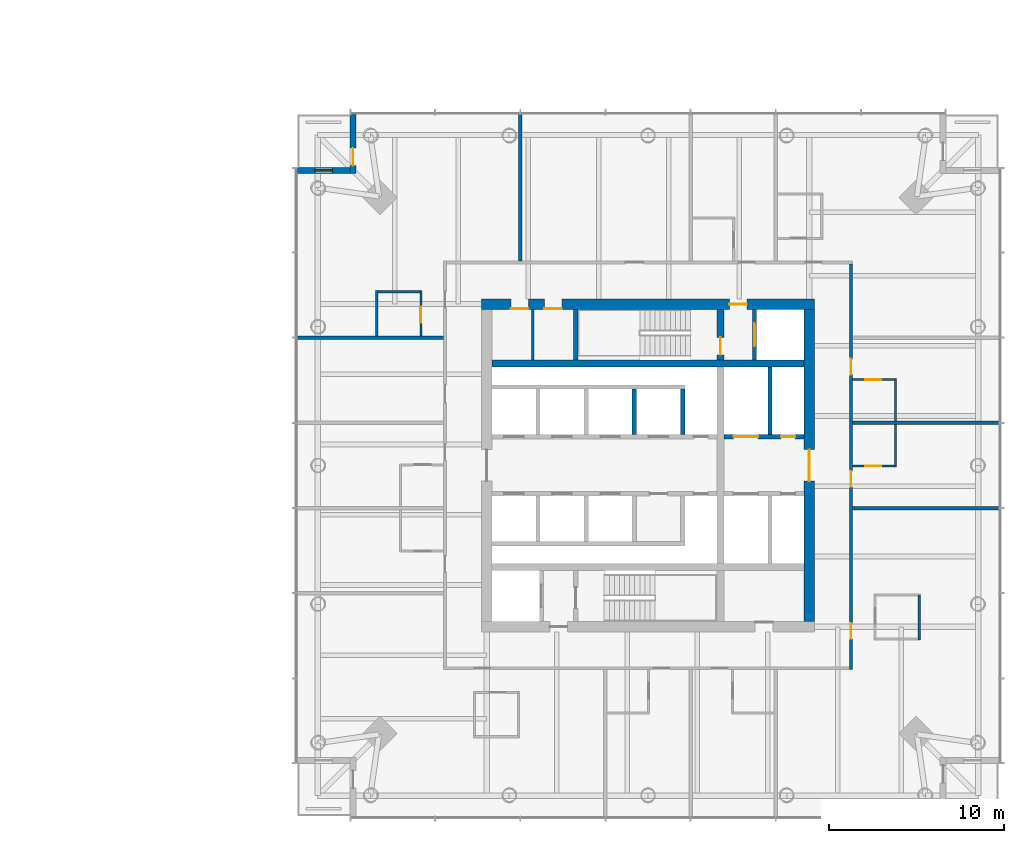
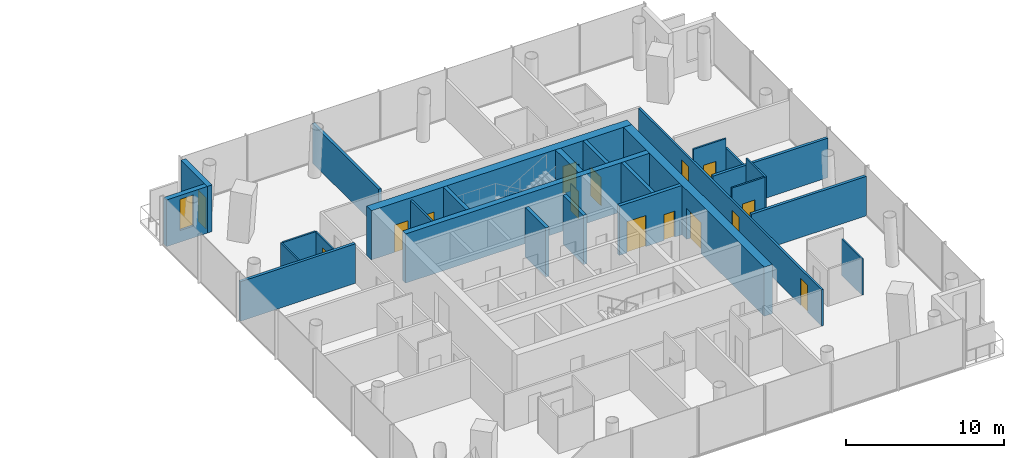
# One storey, part 15 of 19: 26 walls, 15 doors, 1 window, 16 openings.
"""IFC4 building model written with IfcOpenShell, lengths in metres."""

import ifcopenshell
import ifcopenshell.guid

model = None  # the IFC model being written
_history = None  # IfcOwnerHistory: only IFC2X3 demands one
_inside = {}  # id of a spatial element -> (the spatial element, [elements in it])
_under = {}  # id of a project, library or spatial element -> (it, [spatial elements below it])
_declared = {}  # id of a project -> (the project, [libraries it declares])
_typed = {}  # id of a type object -> (the type object, [elements of that type])
_made_of = {}  # id of a material, layer set ... -> (it, [elements and type objects made of it])


def new_model(schema):
    """Start an empty IFC model of exactly this schema.

    Asked for "IFC4X3", IfcOpenShell would pick the latest addendum, in which some entities
    have other attributes; the version numbers below select the first issue.
    IFC2X3 requires an IfcOwnerHistory on every rooted entity: one is made here for all.
    """
    global model, _history
    if schema == "IFC4X3":
        model = ifcopenshell.file(schema_version=(4, 3, 0, 0))
    else:
        model = ifcopenshell.file(schema=schema)
    _inside.clear()
    _under.clear()
    _declared.clear()
    _typed.clear()
    _made_of.clear()
    _history = None
    if model.schema == "IFC2X3":
        org = make("IfcOrganization", Name="unknown")
        user = make(
            "IfcPersonAndOrganization",
            ThePerson=make("IfcPerson", FamilyName="unknown"),
            TheOrganization=org,
        )
        app = make(
            "IfcApplication",
            ApplicationDeveloper=org,
            Version="unknown",
            ApplicationFullName="unknown",
            ApplicationIdentifier="unknown",
        )
        _history = make(
            "IfcOwnerHistory",
            OwningUser=user,
            OwningApplication=app,
            ChangeAction="ADDED",
            CreationDate=0,
        )
    return model


def make(cls, **values):
    """One entity of the class cls with the attributes given. An attribute that is None is left unset."""
    return model.create_entity(
        cls, **{name: value for name, value in values.items() if value is not None}
    )


def rooted(cls, **values):
    """An entity with a GlobalId (a new one), such as an element, a storey or a relation."""
    return make(cls, GlobalId=ifcopenshell.guid.new(), OwnerHistory=_history, **values)


def si_unit(unit_type, name, prefix=None):
    """IfcSIUnit, for example si_unit("LENGTHUNIT", "METRE", prefix="MILLI")."""
    return make("IfcSIUnit", UnitType=unit_type, Prefix=prefix, Name=name)


def assignment(units):
    """IfcUnitAssignment: the units of a project."""
    return None if units is None else make("IfcUnitAssignment", Units=units)


def point(xyz):
    """IfcCartesianPoint."""
    return None if xyz is None else make("IfcCartesianPoint", Coordinates=xyz)


def direction(xyz):
    """IfcDirection."""
    return None if xyz is None else make("IfcDirection", DirectionRatios=xyz)


def frame(location, z_axis=None, x_axis=None):
    """IfcAxis2Placement3D, a coordinate frame: its origin and axes. An axis left out is left unset."""
    return make(
        "IfcAxis2Placement3D",
        Location=point(location),
        Axis=direction(z_axis),
        RefDirection=direction(x_axis),
    )


def frame_2d(location, x_axis=None):
    """IfcAxis2Placement2D, a coordinate frame in the plane: its origin and x axis."""
    return make(
        "IfcAxis2Placement2D", Location=point(location), RefDirection=direction(x_axis)
    )


def origin():
    """The frame at (0, 0, 0) with its axes left unset."""
    return frame((0.0, 0.0, 0.0))


def place(relative_to, where):
    """IfcLocalPlacement: puts the frame where relative to a parent placement (None: the world)."""
    return make(
        "IfcLocalPlacement", PlacementRelTo=relative_to, RelativePlacement=where
    )


def context(
    kind, dimensions, precision=None, world=None, true_north=None, identifier=None
):
    """IfcGeometricRepresentationContext, for example the 3D "Model" context."""
    return make(
        "IfcGeometricRepresentationContext",
        ContextIdentifier=identifier,
        ContextType=kind,
        CoordinateSpaceDimension=dimensions,
        Precision=precision,
        WorldCoordinateSystem=world,
        TrueNorth=true_north,
    )


def subcontext(parent, identifier, kind, view, scale=None):
    """IfcGeometricRepresentationSubContext, for example "Body" below "Model"."""
    return make(
        "IfcGeometricRepresentationSubContext",
        ContextIdentifier=identifier,
        ContextType=kind,
        ParentContext=parent,
        TargetScale=scale,
        TargetView=view,
    )


def project(units=None, contexts=None):
    """IfcProject with its units and contexts."""
    return rooted(
        "IfcProject",
        Name="project",
        RepresentationContexts=contexts,
        UnitsInContext=assignment(units),
    )


def spatial(cls, under=None, at=None, **own):
    """A site, building, storey or space (cls), placed at a placement, below another one or the project."""
    s = rooted(cls, ObjectPlacement=at, **own)
    if under is not None:
        _under.setdefault(under.id(), (under, []))[1].append(s)
    return s


def profile(cls, at=None, kind="AREA", **sizes):
    """A parametric profile (cls). Its sizes go by their IFC names, for example OverallWidth=200.0."""
    return make(cls, ProfileType=kind, Position=at, **sizes)


def rectangle(**sizes):
    """IfcRectangleProfileDef."""
    return profile("IfcRectangleProfileDef", **sizes)


def extrude(swept, where, along, depth):
    """IfcExtrudedAreaSolid: the profile swept, set in the frame where, extruded along a direction by depth."""
    return make(
        "IfcExtrudedAreaSolid",
        SweptArea=swept,
        Position=where,
        ExtrudedDirection=direction(along),
        Depth=depth,
    )


def shape(context_of_items, identifier, shape_type, items):
    """IfcShapeRepresentation: the items that make up one representation, for example the "Body"."""
    return make(
        "IfcShapeRepresentation",
        ContextOfItems=context_of_items,
        RepresentationIdentifier=identifier,
        RepresentationType=shape_type,
        Items=items,
    )


def material(Name=None, Category=None):
    """IfcMaterial."""
    return make("IfcMaterial", Name=Name, Category=Category)


def layer(
    of_material, thickness, ventilated=None, Name=None, Category=None, Priority=None
):
    """IfcMaterialLayer: one layer of a wall or slab, of a material (None: an air gap)."""
    return make(
        "IfcMaterialLayer",
        Material=of_material,
        LayerThickness=thickness,
        IsVentilated=ventilated,
        Name=Name,
        Category=Category,
        Priority=Priority,
    )


def layer_set(layers, Name=None):
    """IfcMaterialLayerSet."""
    return make("IfcMaterialLayerSet", MaterialLayers=layers, LayerSetName=Name)


def made_of(thing, what):
    """Note that an element or type object is made of a material, layer set ...; save() writes the relation."""
    if what is not None:
        _made_of.setdefault(what.id(), (what, []))[1].append(thing)
    return thing


def type_object(cls, material=None, **own):
    """A type object (cls), such as IfcWallType, which elements share."""
    return made_of(rooted(cls, **own), material)


def element(
    cls,
    number,
    at=None,
    inside=None,
    cuts=None,
    type_object=None,
    material=None,
    context=None,
    identifier="Body",
    shape_type=None,
    held_by="IfcProductDefinitionShape",
    body=None,
    shapes=None,
    **own,
):
    """One element of the class cls, such as IfcWall. Its Tag is "e" and its number.

    at: its placement. inside: the storey or other place that contains it. cuts: it is an
    opening in that element (IfcRelVoidsElement). A single representation is given by context,
    identifier, shape_type and body (its items); several are given by shapes. held_by: the class
    of the entity that holds the representations. save() writes the other relations.
    """
    e = rooted(cls, Tag="e%d" % number, ObjectPlacement=at, **own)
    if body is not None:
        shapes = [shape(context, identifier, shape_type, body)]
    if shapes is not None:
        e.Representation = make(held_by, Representations=shapes)
    if inside is not None:
        _inside.setdefault(inside.id(), (inside, []))[1].append(e)
    if cuts is not None:
        rooted(
            "IfcRelVoidsElement", RelatingBuildingElement=cuts, RelatedOpeningElement=e
        )
    if type_object is not None:
        _typed.setdefault(type_object.id(), (type_object, []))[1].append(e)
    return made_of(e, material)


def fill(opening, filler):
    """IfcRelFillsElement: the door or window that sits in an opening."""
    return rooted(
        "IfcRelFillsElement",
        RelatingOpeningElement=opening,
        RelatedBuildingElement=filler,
    )


def aggregate(whole, parts):
    """IfcRelAggregates: a whole, such as a stair, and the parts it consists of."""
    return rooted("IfcRelAggregates", RelatingObject=whole, RelatedObjects=parts)


def save(model, path):
    """Write the relations noted so far, then the file.

    IfcRelAggregates (storeys below a building ...), IfcRelContainedInSpatialStructure (elements
    in a storey), IfcRelDefinesByType, IfcRelAssociatesMaterial and IfcRelDeclares: one each for
    every whole, place, type object, material and project.
    """
    for whole, parts in _under.values():
        aggregate(whole, parts)
    for where, things in _inside.values():
        rooted(
            "IfcRelContainedInSpatialStructure",
            RelatedElements=things,
            RelatingStructure=where,
        )
    for kind, things in _typed.values():
        rooted("IfcRelDefinesByType", RelatedObjects=things, RelatingType=kind)
    for what, things in _made_of.values():
        rooted("IfcRelAssociatesMaterial", RelatedObjects=things, RelatingMaterial=what)
    for by, libraries in _declared.values():
        rooted("IfcRelDeclares", RelatingContext=by, RelatedDefinitions=libraries)
    model.write(path)


model = new_model("IFC4")

# Units and contexts
model_context = context("Model", 3, precision=1e-05, world=origin(), true_north=direction((0.0, 1.0)))
body_context = subcontext(model_context, "Body", "Model", "MODEL_VIEW")
ifc_project = project(units=[si_unit("LENGTHUNIT", "METRE"), si_unit("AREAUNIT", "SQUARE_METRE"), si_unit("VOLUMEUNIT", "CUBIC_METRE"), si_unit("PLANEANGLEUNIT", "RADIAN"), si_unit("MASSUNIT", "GRAM", prefix="KILO")], contexts=[model_context])

# Site, building, storey
site_placement = place(None, origin())
site = spatial("IfcSite", under=ifc_project, at=site_placement, CompositionType="ELEMENT")
building_placement = place(site_placement, origin())
building = spatial("IfcBuilding", under=site, at=building_placement, Name="Ostroluk Exchange", CompositionType="ELEMENT")
storey_placement = place(building_placement, frame((0.0, 0.0, 24.800048828125)))
storey = spatial("IfcBuildingStorey", under=building, at=storey_placement, Name="L05", CompositionType="ELEMENT", Elevation=24.800048828125)

# Walls
ifc_material_1 = material(Name="Concrete blockwork", Category="masonry")
ifc_layer_1 = layer(ifc_material_1, 0.14990234375)
ifc_layer_set_1 = layer_set([ifc_layer_1], Name="Blockwork plant room wall 150")
wall_type_1 = type_object("IfcWallType", Name="Blockwork plant room wall 150", PredefinedType="SOLIDWALL", material=ifc_layer_set_1)
wall_1_placement = place(storey_placement, frame((110.425048828125, 52.0, 0.0), z_axis=(0.0, 0.0, 1.0), x_axis=(0.0, 1.0, 0.0)))
element("IfcWall", 1, at=wall_1_placement, inside=storey, type_object=wall_type_1, Name="Core room wall", PredefinedType="SOLIDWALL", context=body_context, shape_type="SweptSolid", body=[
    extrude(rectangle(XDim=2.89990234375, YDim=0.14990234375, at=frame_2d((1.449951171875, 0.0))), origin(), (0.0, 0.0, 1.0), 3.599853515625),
])
ifc_material_2 = material(Name="Concrete C50/60", Category="concrete")
ifc_layer_2 = layer(ifc_material_2, 0.39990234375)
ifc_layer_set_2 = layer_set([ifc_layer_2], Name="Core cross wall 400 C50/60")
wall_type_2 = type_object("IfcWallType", Name="Core cross wall 400 C50/60", PredefinedType="SHEAR", material=ifc_layer_set_2)
wall_2_placement = place(storey_placement, frame((108.10009765625, 51.800048828125, 0.0), z_axis=(0.0, 0.0, 1.0), x_axis=(1.0, 0.0, 0.0)))
element("IfcWall", 2, at=wall_2_placement, inside=storey, type_object=wall_type_2, Name="T2 core wall XN", PredefinedType="SHEAR", context=body_context, shape_type="SweptSolid", body=[
    extrude(rectangle(XDim=17.7998046875, YDim=0.39990234375, at=frame_2d((8.89990234375, 0.0))), origin(), (0.0, 0.0, 1.0), 3.800048828125),
])

# Wall, opening, door
wall_3_placement = place(storey_placement, frame((121.1298828125, 52.0, 0.0), z_axis=(0.0, 0.0, 1.0), x_axis=(0.0, 1.0, 0.0)))
wall_3 = element("IfcWall", 3, at=wall_3_placement, inside=storey, type_object=wall_type_2, Name="T2 core wall YE3", PredefinedType="SHEAR", context=body_context, shape_type="SweptSolid", body=[
    extrude(rectangle(XDim=2.89990234375, YDim=0.39990234375, at=frame_2d((1.449951171875, 0.0))), origin(), (0.0, 0.0, 1.0), 3.800048828125),
])
opening_1_placement = place(wall_3_placement, frame((0.300048828125, 0.0, 0.0)))
opening_1 = element("IfcOpeningElement", 4, at=opening_1_placement, cuts=wall_3, Name="Opening FD60", PredefinedType="OPENING", context=body_context, shape_type="SweptSolid", body=[
    extrude(rectangle(XDim=1.0, YDim=2.10009765625, at=frame_2d((0.5, 1.050048828125))), frame((0.0, 0.2099609375, 0.0), z_axis=(0.0, -1.0, 0.0), x_axis=(1.0, 0.0, 0.0)), (0.0, 0.0, 1.0), 0.419921875),
])
ifc_material_3 = material(Name="Steel", Category="steel")
door_type_1 = type_object("IfcDoorType", Name="Fire door EI 60 1000 x 2100", OperationType="SINGLE_SWING_LEFT", PredefinedType="DOOR", material=ifc_material_3)
door_1_placement = place(opening_1_placement, origin())
door_1 = element("IfcDoor", 5, at=door_1_placement, inside=storey, type_object=door_type_1, Name="Stair T2-S2 door", OperationType="SINGLE_SWING_LEFT", OverallHeight=2.10009765625, OverallWidth=1.0, PredefinedType="DOOR", context=body_context, shape_type="SweptSolid", body=[
    extrude(rectangle(XDim=1.0, YDim=2.10009765625, at=frame_2d((0.5, 1.050048828125))), frame((0.0, 0.02490234375, 0.0), z_axis=(0.0, -1.0, 0.0), x_axis=(1.0, 0.0, 0.0)), (0.0, 0.0, 1.0), 0.050048828125),
])
fill(opening_1, door_1)

# Wall
ifc_material_4 = material(Name="Concrete C40/50", Category="concrete")
ifc_layer_3 = layer(ifc_material_4, 0.25)
ifc_layer_set_3 = layer_set([ifc_layer_3], Name="Core shaft wall 250")
wall_type_3 = type_object("IfcWallType", Name="Core shaft wall 250", PredefinedType="SHEAR", material=ifc_layer_set_3)
wall_4_placement = place(storey_placement, frame((112.875, 52.0, 0.0), z_axis=(0.0, 0.0, 1.0), x_axis=(0.0, 1.0, 0.0)))
element("IfcWall", 6, at=wall_4_placement, inside=storey, type_object=wall_type_3, Name="Stair shaft wall", PredefinedType="SHEAR", context=body_context, shape_type="SweptSolid", body=[
    extrude(rectangle(XDim=2.89990234375, YDim=0.25, at=frame_2d((1.449951171875, 0.0))), origin(), (0.0, 0.0, 1.0), 3.800048828125),
])

# Wall, opening, door
wall_5_placement = place(storey_placement, frame((123.074951171875, 52.0, 0.0), z_axis=(0.0, 0.0, 1.0), x_axis=(0.0, 1.0, 0.0)))
wall_5 = element("IfcWall", 7, at=wall_5_placement, inside=storey, type_object=wall_type_3, Name="Firefighting lift shaft wall", PredefinedType="SHEAR", context=body_context, shape_type="SweptSolid", body=[
    extrude(rectangle(XDim=2.89990234375, YDim=0.25, at=frame_2d((1.449951171875, 0.0))), origin(), (0.0, 0.0, 1.0), 3.800048828125),
])
opening_2_placement = place(wall_5_placement, frame((0.800048828125, 0.0, 0.0)))
opening_2 = element("IfcOpeningElement", 8, at=opening_2_placement, cuts=wall_5, Name="Opening LD2", PredefinedType="OPENING", context=body_context, shape_type="SweptSolid", body=[
    extrude(rectangle(XDim=1.300048828125, YDim=2.199951171875, at=frame_2d((0.64990234375, 1.10009765625))), frame((0.0, 0.135009765625, 0.0), z_axis=(0.0, -1.0, 0.0), x_axis=(1.0, 0.0, 0.0)), (0.0, 0.0, 1.0), 0.27001953125),
])
ifc_material_5 = material(Name="Stainless steel", Category="steel")
door_type_2 = type_object("IfcDoorType", Name="Lift landing door E 60 1300 x 2200", OperationType="DOUBLE_DOOR_SLIDING", PredefinedType="DOOR", material=ifc_material_5)
door_2_placement = place(opening_2_placement, origin())
door_2 = element("IfcDoor", 9, at=door_2_placement, inside=storey, type_object=door_type_2, Name="Lift HF2 landing door", OperationType="DOUBLE_DOOR_SLIDING", OverallHeight=2.199951171875, OverallWidth=1.300048828125, PredefinedType="DOOR", context=body_context, shape_type="SweptSolid", body=[
    extrude(rectangle(XDim=1.300048828125, YDim=2.199951171875, at=frame_2d((0.64990234375, 1.10009765625))), frame((0.0, 0.02490234375, 0.0), z_axis=(0.0, -1.0, 0.0), x_axis=(1.0, 0.0, 0.0)), (0.0, 0.0, 1.0), 0.050048828125),
])
fill(opening_2, door_2)

# Walls
for number, where, z_axis, x_axis, name in (
    (10, (116.22509765625, 47.75, 0.0), (0.0, 0.0, 1.0), (0.0, 1.0, 0.0), "Lift shaft wall"),
    (11, (118.97509765625, 47.75, 0.0), (0.0, 0.0, 1.0), (0.0, 1.0, 0.0), "Lift shaft wall"),
):
    element("IfcWall", number, at=place(storey_placement, frame(where, z_axis=z_axis, x_axis=x_axis)), inside=storey, type_object=wall_type_3, Name=name, PredefinedType="SHEAR", context=body_context, shape_type="SweptSolid", body=[
        extrude(rectangle(XDim=2.60009765625, YDim=0.25, at=frame_2d((1.300048828125, 0.0))), origin(), (0.0, 0.0, 1.0), 3.800048828125),
    ])
wall_6_placement = place(storey_placement, frame((123.955078125, 47.75, 0.0), z_axis=(0.0, 0.0, 1.0), x_axis=(0.0, 1.0, 0.0)))
element("IfcWall", 12, at=wall_6_placement, inside=storey, type_object=wall_type_3, Name="Lift shaft wall", PredefinedType="SHEAR", context=body_context, shape_type="SweptSolid", body=[
    extrude(rectangle(XDim=3.85009765625, YDim=0.25, at=frame_2d((1.925048828125, 0.0))), origin(), (0.0, 0.0, 1.0), 3.800048828125),
])

# Wall, openings, doors
wall_7_placement = place(storey_placement, frame((121.330078125, 47.625, 0.0), z_axis=(0.0, 0.0, 1.0), x_axis=(1.0, 0.0, 0.0)))
wall_7 = element("IfcWall", 13, at=wall_7_placement, inside=storey, type_object=wall_type_3, Name="Lift shaft front wall", PredefinedType="SHEAR", context=body_context, shape_type="SweptSolid", body=[
    extrude(rectangle(XDim=4.56982421875, YDim=0.25, at=frame_2d((2.284912109375, 0.0))), origin(), (0.0, 0.0, 1.0), 3.800048828125),
])
opening_3_placement = place(wall_7_placement, frame((0.550048828125, 0.0, 0.0)))
opening_3 = element("IfcOpeningElement", 14, at=opening_3_placement, cuts=wall_7, Name="Opening LD3", PredefinedType="OPENING", context=body_context, shape_type="SweptSolid", body=[
    extrude(rectangle(XDim=1.39990234375, YDim=2.39990234375, at=frame_2d((0.699951171875, 1.199951171875))), frame((0.0, 0.135009765625, 0.0), z_axis=(0.0, -1.0, 0.0), x_axis=(1.0, 0.0, 0.0)), (0.0, 0.0, 1.0), 0.27001953125),
])
opening_4_placement = place(wall_7_placement, frame((3.260009765625, 0.0, 0.0)))
opening_4 = element("IfcOpeningElement", 15, at=opening_4_placement, cuts=wall_7, Name="Opening RD60", PredefinedType="OPENING", context=body_context, shape_type="SweptSolid", body=[
    extrude(rectangle(XDim=0.800048828125, YDim=2.0, at=frame_2d((0.39990234375, 1.0))), frame((0.0, 0.135009765625, 0.0), z_axis=(0.0, -1.0, 0.0), x_axis=(1.0, 0.0, 0.0)), (0.0, 0.0, 1.0), 0.27001953125),
])
ifc_material_6 = material(Name="Stainless steel", Category="steel")
door_type_3 = type_object("IfcDoorType", Name="Goods lift landing door E 60 1400 x 2400", OperationType="DOUBLE_DOOR_SLIDING", PredefinedType="DOOR", material=ifc_material_6)
door_3_placement = place(opening_3_placement, origin())
door_3 = element("IfcDoor", 16, at=door_3_placement, inside=storey, type_object=door_type_3, Name="Lift HS1 landing door", OperationType="DOUBLE_DOOR_SLIDING", OverallHeight=2.39990234375, OverallWidth=1.39990234375, PredefinedType="DOOR", context=body_context, shape_type="SweptSolid", body=[
    extrude(rectangle(XDim=1.39990234375, YDim=2.39990234375, at=frame_2d((0.699951171875, 1.199951171875))), frame((0.0, 0.02490234375, 0.0), z_axis=(0.0, -1.0, 0.0), x_axis=(1.0, 0.0, 0.0)), (0.0, 0.0, 1.0), 0.050048828125),
])
fill(opening_3, door_3)
ifc_material_7 = material(Name="Steel", Category="steel")
door_type_4 = type_object("IfcDoorType", Name="Riser access door EI 60 800 x 2000", OperationType="SINGLE_SWING_LEFT", PredefinedType="DOOR", material=ifc_material_7)
door_4_placement = place(opening_4_placement, origin())
door_4 = element("IfcDoor", 17, at=door_4_placement, inside=storey, type_object=door_type_4, Name="Riser access door", OperationType="SINGLE_SWING_RIGHT", OverallHeight=2.0, OverallWidth=0.800048828125, PredefinedType="DOOR", context=body_context, shape_type="SweptSolid", body=[
    extrude(rectangle(XDim=0.800048828125, YDim=2.0, at=frame_2d((0.39990234375, 1.0))), frame((0.0, 0.02490234375, 0.0), z_axis=(0.0, -1.0, 0.0), x_axis=(1.0, 0.0, 0.0)), (0.0, 0.0, 1.0), 0.050048828125),
])
fill(opening_4, door_4)

ifc_material_8 = material(Name="Concrete C50/60", Category="concrete")
ifc_layer_4 = layer(ifc_material_8, 0.60009765625)
ifc_layer_set_4 = layer_set([ifc_layer_4], Name="Core wall 600 C50/60")
wall_type_4 = type_object("IfcWallType", Name="Core wall 600 C50/60", PredefinedType="SHEAR", material=ifc_layer_set_4)
wall_8_placement = place(storey_placement, frame((107.5, 55.199951171875, 0.0), z_axis=(0.0, 0.0, 1.0), x_axis=(1.0, 0.0, 0.0)))
wall_8 = element("IfcWall", 18, at=wall_8_placement, inside=storey, type_object=wall_type_4, Name="T2 core wall N", PredefinedType="SHEAR", context=body_context, shape_type="SweptSolid", body=[
    extrude(rectangle(XDim=19.0, YDim=0.60009765625, at=frame_2d((9.5, 0.0))), origin(), (0.0, 0.0, 1.0), 3.800048828125),
])
opening_5_placement = place(wall_8_placement, frame((14.139892578125, 0.0, 0.0)))
opening_5 = element("IfcOpeningElement", 19, at=opening_5_placement, cuts=wall_8, Name="Opening FD60", PredefinedType="OPENING", context=body_context, shape_type="SweptSolid", body=[
    extrude(rectangle(XDim=1.0, YDim=2.10009765625, at=frame_2d((0.5, 1.050048828125))), frame((0.0, 0.31005859375, 0.0), z_axis=(0.0, -1.0, 0.0), x_axis=(1.0, 0.0, 0.0)), (0.0, 0.0, 1.0), 0.6201171875),
])
opening_6_placement = place(wall_8_placement, frame((1.675048828125, 0.0, 0.0)))
opening_6 = element("IfcOpeningElement", 20, at=opening_6_placement, cuts=wall_8, Name="Opening FD60", PredefinedType="OPENING", context=body_context, shape_type="SweptSolid", body=[
    extrude(rectangle(XDim=1.0, YDim=2.10009765625, at=frame_2d((0.5, 1.050048828125))), frame((0.0, 0.31005859375, 0.0), z_axis=(0.0, -1.0, 0.0), x_axis=(1.0, 0.0, 0.0)), (0.0, 0.0, 1.0), 0.6201171875),
])
opening_7_placement = place(wall_8_placement, frame((3.58740234375, 0.0, 0.0)))
opening_7 = element("IfcOpeningElement", 21, at=opening_7_placement, cuts=wall_8, Name="Opening FD60", PredefinedType="OPENING", context=body_context, shape_type="SweptSolid", body=[
    extrude(rectangle(XDim=1.0, YDim=2.10009765625, at=frame_2d((0.5, 1.050048828125))), frame((0.0, 0.31005859375, 0.0), z_axis=(0.0, -1.0, 0.0), x_axis=(1.0, 0.0, 0.0)), (0.0, 0.0, 1.0), 0.6201171875),
])
door_5_placement = place(opening_5_placement, origin())
door_5 = element("IfcDoor", 22, at=door_5_placement, inside=storey, type_object=door_type_1, Name="Firefighting lobby door", OperationType="SINGLE_SWING_RIGHT", OverallHeight=2.10009765625, OverallWidth=1.0, PredefinedType="DOOR", context=body_context, shape_type="SweptSolid", body=[
    extrude(rectangle(XDim=1.0, YDim=2.10009765625, at=frame_2d((0.5, 1.050048828125))), frame((0.0, 0.02490234375, 0.0), z_axis=(0.0, -1.0, 0.0), x_axis=(1.0, 0.0, 0.0)), (0.0, 0.0, 1.0), 0.050048828125),
])
fill(opening_5, door_5)
door_6_placement = place(opening_6_placement, origin())
door_6 = element("IfcDoor", 23, at=door_6_placement, inside=storey, type_object=door_type_1, Name="Guest pantry door", OperationType="SINGLE_SWING_LEFT", OverallHeight=2.10009765625, OverallWidth=1.0, PredefinedType="DOOR", context=body_context, shape_type="SweptSolid", body=[
    extrude(rectangle(XDim=1.0, YDim=2.10009765625, at=frame_2d((0.5, 1.050048828125))), frame((0.0, -0.23974609375, 0.0), z_axis=(0.0, -1.0, 0.0), x_axis=(1.0, 0.0, 0.0)), (0.0, 0.0, 1.0), 0.050048828125),
])
fill(opening_6, door_6)
door_7_placement = place(opening_7_placement, origin())
door_7 = element("IfcDoor", 24, at=door_7_placement, inside=storey, type_object=door_type_1, Name="Ice and vending room door", OperationType="SINGLE_SWING_LEFT", OverallHeight=2.10009765625, OverallWidth=1.0, PredefinedType="DOOR", context=body_context, shape_type="SweptSolid", body=[
    extrude(rectangle(XDim=1.0, YDim=2.10009765625, at=frame_2d((0.5, 1.050048828125))), frame((0.0, -0.23974609375, 0.0), z_axis=(0.0, -1.0, 0.0), x_axis=(1.0, 0.0, 0.0)), (0.0, 0.0, 1.0), 0.050048828125),
])
fill(opening_7, door_7)

# Wall, opening, door
wall_9_placement = place(storey_placement, frame((126.199951171875, 37.10009765625, 0.0), z_axis=(0.0, 0.0, 1.0), x_axis=(0.0, 1.0, 0.0)))
wall_9 = element("IfcWall", 25, at=wall_9_placement, inside=storey, type_object=wall_type_4, Name="T2 core wall E", PredefinedType="SHEAR", context=body_context, shape_type="SweptSolid", body=[
    extrude(rectangle(XDim=17.7998046875, YDim=0.60009765625, at=frame_2d((8.89990234375, 0.0))), origin(), (0.0, 0.0, 1.0), 3.800048828125),
])
opening_8_placement = place(wall_9_placement, frame((8.0, 0.0, 0.0)))
opening_8 = element("IfcOpeningElement", 26, at=opening_8_placement, cuts=wall_9, Name="Opening FD30D", PredefinedType="OPENING", context=body_context, shape_type="SweptSolid", body=[
    extrude(rectangle(XDim=1.800048828125, YDim=2.39990234375, at=frame_2d((0.89990234375, 1.199951171875))), frame((0.0, 0.31005859375, 0.0), z_axis=(0.0, -1.0, 0.0), x_axis=(1.0, 0.0, 0.0)), (0.0, 0.0, 1.0), 0.6201171875),
])
ifc_material_9 = material(Name="Timber", Category="wood")
door_type_5 = type_object("IfcDoorType", Name="Lobby double door EI 30 1800 x 2400", OperationType="DOUBLE_DOOR_SINGLE_SWING", PredefinedType="DOOR", material=ifc_material_9)
door_8_placement = place(opening_8_placement, origin())
door_8 = element("IfcDoor", 27, at=door_8_placement, inside=storey, type_object=door_type_5, Name="Lift lobby doors", OperationType="DOUBLE_DOOR_SINGLE_SWING", OverallHeight=2.39990234375, OverallWidth=1.800048828125, PredefinedType="DOOR", context=body_context, shape_type="SweptSolid", body=[
    extrude(rectangle(XDim=1.800048828125, YDim=2.39990234375, at=frame_2d((0.89990234375, 1.199951171875))), frame((0.0, 0.02490234375, 0.0), z_axis=(0.0, -1.0, 0.0), x_axis=(1.0, 0.0, 0.0)), (0.0, 0.0, 1.0), 0.050048828125),
])
fill(opening_8, door_8)

ifc_material_10 = material(Name="Limestone", Category="masonry")
ifc_layer_5 = layer(ifc_material_10, 0.35009765625)
ifc_layer_set_5 = layer_set([ifc_layer_5], Name="Limestone facade wall 350")
wall_type_5 = type_object("IfcWallType", Name="Limestone facade wall 350", PredefinedType="SOLIDWALL", material=ifc_layer_set_5)
wall_10_placement = place(storey_placement, frame((100.175048828125, 66.0, 0.0), z_axis=(0.0, 0.0, 1.0), x_axis=(0.0, -1.0, 0.0)))
wall_10 = element("IfcWall", 28, at=wall_10_placement, inside=storey, type_object=wall_type_5, Name="Hotel tower NW corner wall L05 a", PredefinedType="SOLIDWALL", context=body_context, shape_type="SweptSolid", body=[
    extrude(rectangle(XDim=3.35009765625, YDim=0.35009765625, at=frame_2d((1.675048828125, 0.0))), origin(), (0.0, 0.0, 1.0), 3.599853515625),
])
opening_9_placement = place(wall_10_placement, frame((1.89990234375, 0.0, 0.0)))
opening_9 = element("IfcOpeningElement", 29, at=opening_9_placement, cuts=wall_10, Name="Opening D-B1", PredefinedType="OPENING", context=body_context, shape_type="SweptSolid", body=[
    extrude(rectangle(XDim=1.0, YDim=2.39990234375, at=frame_2d((0.5, 1.199951171875))), frame((0.0, 0.18505859375, 0.0), z_axis=(0.0, -1.0, 0.0), x_axis=(1.0, 0.0, 0.0)), (0.0, 0.0, 1.0), 0.3701171875),
])
ifc_material_11 = material(Name="Bronze framed glazed door", Category="aluminium")
door_type_6 = type_object("IfcDoorType", Name="Balcony door 1000 x 2400", OperationType="SINGLE_SWING_LEFT", PredefinedType="DOOR", material=ifc_material_11)
door_9_placement = place(opening_9_placement, origin())
door_9 = element("IfcDoor", 30, at=door_9_placement, inside=storey, type_object=door_type_6, Name="Hotel tower NW balcony door L05", OperationType="SINGLE_SWING_RIGHT", OverallHeight=2.39990234375, OverallWidth=1.0, PredefinedType="DOOR", context=body_context, shape_type="SweptSolid", body=[
    extrude(rectangle(XDim=1.0, YDim=2.39990234375, at=frame_2d((0.5, 1.199951171875))), frame((0.0, 0.02490234375, 0.0), z_axis=(0.0, -1.0, 0.0), x_axis=(1.0, 0.0, 0.0)), (0.0, 0.0, 1.0), 0.050048828125),
])
fill(opening_9, door_9)

# Wall, opening, window
wall_11_placement = place(storey_placement, frame((100.0, 62.824951171875, 0.0), z_axis=(0.0, 0.0, 1.0), x_axis=(-1.0, 0.0, 0.0)))
wall_11 = element("IfcWall", 31, at=wall_11_placement, inside=storey, type_object=wall_type_5, Name="Hotel tower NW corner wall L05 b", PredefinedType="SOLIDWALL", context=body_context, shape_type="SweptSolid", body=[
    extrude(rectangle(XDim=3.0, YDim=0.35009765625, at=frame_2d((1.5, 0.0))), origin(), (0.0, 0.0, 1.0), 3.599853515625),
])
opening_10_placement = place(wall_11_placement, frame((1.0, 0.0, 0.89990234375)))
opening_10 = element("IfcOpeningElement", 32, at=opening_10_placement, cuts=wall_11, Name="Opening WN-L3", PredefinedType="OPENING", context=body_context, shape_type="SweptSolid", body=[
    extrude(rectangle(XDim=1.0, YDim=2.39990234375, at=frame_2d((0.5, 1.199951171875))), frame((0.0, 0.18505859375, 0.0), z_axis=(0.0, -1.0, 0.0), x_axis=(1.0, 0.0, 0.0)), (0.0, 0.0, 1.0), 0.3701171875),
])
ifc_material_12 = material(Name="Laminated clear glass", Category="glass")
window_type = type_object("IfcWindowType", Name="Hotel lancet window 1000 x 2400", PartitioningType="SINGLE_PANEL", PredefinedType="WINDOW", material=ifc_material_12)
window_placement = place(opening_10_placement, origin())
window = element("IfcWindow", 33, at=window_placement, inside=storey, type_object=window_type, Name="Hotel tower NW lancet window L05", OverallHeight=2.39990234375, OverallWidth=1.0, PartitioningType="SINGLE_PANEL", PredefinedType="WINDOW", context=body_context, shape_type="SweptSolid", body=[
    extrude(rectangle(XDim=1.0, YDim=2.39990234375, at=frame_2d((0.5, 1.199951171875))), frame((0.0, 0.030029296875, 0.0), z_axis=(0.0, -1.0, 0.0), x_axis=(1.0, 0.0, 0.0)), (0.0, 0.0, 1.0), 0.06005859375),
])
fill(opening_10, window)

# Walls
ifc_material_13 = material(Name="Gypsum plasterboard partition, moisture resistant", Category="gypsum")
ifc_layer_6 = layer(ifc_material_13, 0.1201171875)
ifc_layer_set_6 = layer_set([ifc_layer_6], Name="Plasterboard en-suite wall 120")
wall_type_6 = type_object("IfcWallType", Name="Plasterboard en-suite wall 120", PredefinedType="PARTITIONING", material=ifc_layer_set_6)
wall_12_placement = place(storey_placement, frame((132.469970703125, 38.6142578125, 0.0), z_axis=(0.0, 0.0, 1.0), x_axis=(0.0, -1.0, 0.0)))
element("IfcWall", 34, at=wall_12_placement, inside=storey, type_object=wall_type_6, Name="En-suite wall", PredefinedType="PARTITIONING", context=body_context, shape_type="SweptSolid", body=[
    extrude(rectangle(XDim=2.580078125, YDim=0.1201171875, at=frame_2d((1.2900390625, 0.0))), origin(), (0.0, 0.0, 1.0), 2.800048828125),
])
wall_13_placement = place(storey_placement, frame((131.110107421875, 45.90869140625, 0.0), z_axis=(0.0, 0.0, 1.0), x_axis=(0.0, 1.0, 0.0)))
element("IfcWall", 35, at=wall_13_placement, inside=storey, type_object=wall_type_6, Name="En-suite wall", PredefinedType="PARTITIONING", context=body_context, shape_type="SweptSolid", body=[
    extrude(rectangle(XDim=2.419921875, YDim=0.1201171875, at=frame_2d((1.2099609375, 0.0))), origin(), (0.0, 0.0, 1.0), 3.599853515625),
])

# Wall, opening, door
wall_14_placement = place(storey_placement, frame((128.64990234375, 45.968505859375, 0.0), z_axis=(0.0, 0.0, 1.0), x_axis=(1.0, 0.0, 0.0)))
wall_14 = element("IfcWall", 36, at=wall_14_placement, inside=storey, type_object=wall_type_6, Name="En-suite wall", PredefinedType="PARTITIONING", context=body_context, shape_type="SweptSolid", body=[
    extrude(rectangle(XDim=2.400146484375, YDim=0.1201171875, at=frame_2d((1.2001953125, 0.0))), origin(), (0.0, 0.0, 1.0), 3.599853515625),
])
opening_11_placement = place(wall_14_placement, frame((0.75, 0.0, 0.0)))
opening_11 = element("IfcOpeningElement", 37, at=opening_11_placement, cuts=wall_14, Name="Opening D-02", PredefinedType="OPENING", context=body_context, shape_type="SweptSolid", body=[
    extrude(rectangle(XDim=0.89990234375, YDim=2.10009765625, at=frame_2d((0.449951171875, 1.050048828125))), frame((0.0, 0.070068359375, 0.0), z_axis=(0.0, -1.0, 0.0), x_axis=(1.0, 0.0, 0.0)), (0.0, 0.0, 1.0), 0.14013671875),
])
ifc_material_14 = material(Name="Timber", Category="wood")
door_type_7 = type_object("IfcDoorType", Name="En-suite door 900 x 2100", OperationType="SINGLE_SWING_LEFT", PredefinedType="DOOR", material=ifc_material_14)
door_10_placement = place(opening_11_placement, origin())
door_10 = element("IfcDoor", 38, at=door_10_placement, inside=storey, type_object=door_type_7, Name="En-suite door 502", OperationType="SINGLE_SWING_LEFT", OverallHeight=2.10009765625, OverallWidth=0.89990234375, PredefinedType="DOOR", context=body_context, shape_type="SweptSolid", body=[
    extrude(rectangle(XDim=0.89990234375, YDim=2.10009765625, at=frame_2d((0.449951171875, 1.050048828125))), frame((0.0, 0.02490234375, 0.0), z_axis=(0.0, -1.0, 0.0), x_axis=(1.0, 0.0, 0.0)), (0.0, 0.0, 1.0), 0.050048828125),
])
fill(opening_11, door_10)

# Wall
wall_15_placement = place(storey_placement, frame((131.110107421875, 48.528564453125, 0.0), z_axis=(0.0, 0.0, 1.0), x_axis=(0.0, 1.0, 0.0)))
element("IfcWall", 39, at=wall_15_placement, inside=storey, type_object=wall_type_6, Name="En-suite wall", PredefinedType="PARTITIONING", context=body_context, shape_type="SweptSolid", body=[
    extrude(rectangle(XDim=2.419921875, YDim=0.1201171875, at=frame_2d((1.2099609375, 0.0))), origin(), (0.0, 0.0, 1.0), 2.846923828125),
])

# Wall, opening, door
wall_16_placement = place(storey_placement, frame((128.64990234375, 50.888671875, 0.0), z_axis=(0.0, 0.0, 1.0), x_axis=(1.0, 0.0, 0.0)))
wall_16 = element("IfcWall", 40, at=wall_16_placement, inside=storey, type_object=wall_type_6, Name="En-suite wall", PredefinedType="PARTITIONING", context=body_context, shape_type="SweptSolid", body=[
    extrude(rectangle(XDim=2.400146484375, YDim=0.1201171875, at=frame_2d((1.2001953125, 0.0))), origin(), (0.0, 0.0, 1.0), 3.599853515625),
])
opening_12_placement = place(wall_16_placement, frame((0.75, 0.0, 0.0)))
opening_12 = element("IfcOpeningElement", 41, at=opening_12_placement, cuts=wall_16, Name="Opening D-02", PredefinedType="OPENING", context=body_context, shape_type="SweptSolid", body=[
    extrude(rectangle(XDim=0.89990234375, YDim=2.10009765625, at=frame_2d((0.449951171875, 1.050048828125))), frame((0.0, 0.070068359375, 0.0), z_axis=(0.0, -1.0, 0.0), x_axis=(1.0, 0.0, 0.0)), (0.0, 0.0, 1.0), 0.14013671875),
])
door_11_placement = place(opening_12_placement, origin())
door_11 = element("IfcDoor", 42, at=door_11_placement, inside=storey, type_object=door_type_7, Name="En-suite door 503", OperationType="SINGLE_SWING_LEFT", OverallHeight=2.10009765625, OverallWidth=0.89990234375, PredefinedType="DOOR", context=body_context, shape_type="SweptSolid", body=[
    extrude(rectangle(XDim=0.89990234375, YDim=2.10009765625, at=frame_2d((0.449951171875, 1.050048828125))), frame((0.0, 0.02490234375, 0.0), z_axis=(0.0, -1.0, 0.0), x_axis=(1.0, 0.0, 0.0)), (0.0, 0.0, 1.0), 0.050048828125),
])
fill(opening_12, door_11)

wall_17_placement = place(storey_placement, frame((104.050048828125, 53.3857421875, 0.0), z_axis=(0.0, 0.0, 1.0), x_axis=(0.0, 1.0, 0.0)))
wall_17 = element("IfcWall", 43, at=wall_17_placement, inside=storey, type_object=wall_type_6, Name="En-suite wall", PredefinedType="PARTITIONING", context=body_context, shape_type="SweptSolid", body=[
    extrude(rectangle(XDim=2.580078125, YDim=0.1201171875, at=frame_2d((1.2900390625, 0.0))), origin(), (0.0, 0.0, 1.0), 2.800048828125),
])
opening_13_placement = place(wall_17_placement, frame((0.75, 0.0, 0.0)))
opening_13 = element("IfcOpeningElement", 44, at=opening_13_placement, cuts=wall_17, Name="Opening D-02", PredefinedType="OPENING", context=body_context, shape_type="SweptSolid", body=[
    extrude(rectangle(XDim=0.89990234375, YDim=2.10009765625, at=frame_2d((0.449951171875, 1.050048828125))), frame((0.0, 0.070068359375, 0.0), z_axis=(0.0, -1.0, 0.0), x_axis=(1.0, 0.0, 0.0)), (0.0, 0.0, 1.0), 0.14013671875),
])
door_12_placement = place(opening_13_placement, origin())
door_12 = element("IfcDoor", 45, at=door_12_placement, inside=storey, type_object=door_type_7, Name="En-suite door 506", OperationType="SINGLE_SWING_LEFT", OverallHeight=2.10009765625, OverallWidth=0.89990234375, PredefinedType="DOOR", context=body_context, shape_type="SweptSolid", body=[
    extrude(rectangle(XDim=0.89990234375, YDim=2.10009765625, at=frame_2d((0.449951171875, 1.050048828125))), frame((0.0, 0.02490234375, 0.0), z_axis=(0.0, -1.0, 0.0), x_axis=(1.0, 0.0, 0.0)), (0.0, 0.0, 1.0), 0.050048828125),
])
fill(opening_13, door_12)

# Walls
wall_18_placement = place(storey_placement, frame((101.530029296875, 53.3857421875, 0.0), z_axis=(0.0, 0.0, 1.0), x_axis=(0.0, 1.0, 0.0)))
element("IfcWall", 46, at=wall_18_placement, inside=storey, type_object=wall_type_6, Name="En-suite wall", PredefinedType="PARTITIONING", context=body_context, shape_type="SweptSolid", body=[
    extrude(rectangle(XDim=2.580078125, YDim=0.1201171875, at=frame_2d((1.2900390625, 0.0))), origin(), (0.0, 0.0, 1.0), 2.800048828125),
])
wall_19_placement = place(storey_placement, frame((103.989990234375, 55.90576171875, 0.0), z_axis=(0.0, 0.0, 1.0), x_axis=(-1.0, 0.0, 0.0)))
element("IfcWall", 47, at=wall_19_placement, inside=storey, type_object=wall_type_6, Name="En-suite wall", PredefinedType="PARTITIONING", context=body_context, shape_type="SweptSolid", body=[
    extrude(rectangle(XDim=2.39990234375, YDim=0.1201171875, at=frame_2d((1.199951171875, 0.0))), origin(), (0.0, 0.0, 1.0), 2.846923828125),
])

# Wall, openings, doors
ifc_material_15 = material(Name="Gypsum plasterboard partition", Category="gypsum")
ifc_layer_7 = layer(ifc_material_15, 0.14990234375)
ifc_layer_set_7 = layer_set([ifc_layer_7], Name="Plasterboard partition 150")
wall_type_7 = type_object("IfcWallType", Name="Plasterboard partition 150", PredefinedType="PARTITIONING", material=ifc_layer_set_7)
wall_20_placement = place(storey_placement, frame((128.574951171875, 34.35009765625, 0.0), z_axis=(0.0, 0.0, 1.0), x_axis=(0.0, 1.0, 0.0)))
wall_20 = element("IfcWall", 48, at=wall_20_placement, inside=storey, type_object=wall_type_7, Name="Corridor wall", PredefinedType="PARTITIONING", context=body_context, shape_type="SweptSolid", body=[
    extrude(rectangle(XDim=23.14990234375, YDim=0.14990234375, at=frame_2d((11.574951171875, 0.0))), origin(), (0.0, 0.0, 1.0), 2.800048828125),
])
opening_14_placement = place(wall_20_placement, frame((1.757080078125, 0.0, 0.0)))
opening_14 = element("IfcOpeningElement", 49, at=opening_14_placement, cuts=wall_20, Name="Opening D-01", PredefinedType="OPENING", context=body_context, shape_type="SweptSolid", body=[
    extrude(rectangle(XDim=0.89990234375, YDim=2.10009765625, at=frame_2d((0.449951171875, 1.050048828125))), frame((0.0, 0.0849609375, 0.0), z_axis=(0.0, -1.0, 0.0), x_axis=(1.0, 0.0, 0.0)), (0.0, 0.0, 1.0), 0.169921875),
])
opening_15_placement = place(wall_20_placement, frame((10.428466796875, 0.0, 0.0)))
opening_15 = element("IfcOpeningElement", 50, at=opening_15_placement, cuts=wall_20, Name="Opening D-01", PredefinedType="OPENING", context=body_context, shape_type="SweptSolid", body=[
    extrude(rectangle(XDim=0.89990234375, YDim=2.10009765625, at=frame_2d((0.449951171875, 1.050048828125))), frame((0.0, 0.0849609375, 0.0), z_axis=(0.0, -1.0, 0.0), x_axis=(1.0, 0.0, 0.0)), (0.0, 0.0, 1.0), 0.169921875),
])
opening_16_placement = place(wall_20_placement, frame((16.82861328125, 0.0, 0.0)))
opening_16 = element("IfcOpeningElement", 51, at=opening_16_placement, cuts=wall_20, Name="Opening D-01", PredefinedType="OPENING", context=body_context, shape_type="SweptSolid", body=[
    extrude(rectangle(XDim=0.89990234375, YDim=2.10009765625, at=frame_2d((0.449951171875, 1.050048828125))), frame((0.0, 0.0849609375, 0.0), z_axis=(0.0, -1.0, 0.0), x_axis=(1.0, 0.0, 0.0)), (0.0, 0.0, 1.0), 0.169921875),
])
ifc_material_16 = material(Name="Timber", Category="wood")
door_type_8 = type_object("IfcDoorType", Name="Hotel room door EI 30 Sa 900 x 2100", OperationType="SINGLE_SWING_LEFT", PredefinedType="DOOR", material=ifc_material_16)
door_13_placement = place(opening_14_placement, origin())
door_13 = element("IfcDoor", 52, at=door_13_placement, inside=storey, type_object=door_type_8, Name="Room door 501", OperationType="SINGLE_SWING_LEFT", OverallHeight=2.10009765625, OverallWidth=0.89990234375, PredefinedType="DOOR", context=body_context, shape_type="SweptSolid", body=[
    extrude(rectangle(XDim=0.89990234375, YDim=2.10009765625, at=frame_2d((0.449951171875, 1.050048828125))), frame((0.0, 0.02490234375, 0.0), z_axis=(0.0, -1.0, 0.0), x_axis=(1.0, 0.0, 0.0)), (0.0, 0.0, 1.0), 0.050048828125),
])
fill(opening_14, door_13)
door_14_placement = place(opening_15_placement, origin())
door_14 = element("IfcDoor", 53, at=door_14_placement, inside=storey, type_object=door_type_8, Name="Room door 502", OperationType="SINGLE_SWING_LEFT", OverallHeight=2.10009765625, OverallWidth=0.89990234375, PredefinedType="DOOR", context=body_context, shape_type="SweptSolid", body=[
    extrude(rectangle(XDim=0.89990234375, YDim=2.10009765625, at=frame_2d((0.449951171875, 1.050048828125))), frame((0.0, 0.02490234375, 0.0), z_axis=(0.0, -1.0, 0.0), x_axis=(1.0, 0.0, 0.0)), (0.0, 0.0, 1.0), 0.050048828125),
])
fill(opening_15, door_14)
door_15_placement = place(opening_16_placement, origin())
door_15 = element("IfcDoor", 54, at=door_15_placement, inside=storey, type_object=door_type_8, Name="Room door 503", OperationType="SINGLE_SWING_RIGHT", OverallHeight=2.10009765625, OverallWidth=0.89990234375, PredefinedType="DOOR", context=body_context, shape_type="SweptSolid", body=[
    extrude(rectangle(XDim=0.89990234375, YDim=2.10009765625, at=frame_2d((0.449951171875, 1.050048828125))), frame((0.0, 0.02490234375, 0.0), z_axis=(0.0, -1.0, 0.0), x_axis=(1.0, 0.0, 0.0)), (0.0, 0.0, 1.0), 0.050048828125),
])
fill(opening_16, door_15)

# Walls
ifc_material_17 = material(Name="Gypsum plasterboard partition", Category="gypsum")
ifc_layer_8 = layer(ifc_material_17, 0.199951171875)
ifc_layer_set_8 = layer_set([ifc_layer_8], Name="Plasterboard party wall 200")
wall_type_8 = type_object("IfcWallType", Name="Plasterboard party wall 200", PredefinedType="PARTITIONING", material=ifc_layer_set_8)
for number, where, z_axis, x_axis, name in (
    (55, (128.64990234375, 43.571533203125, 0.0), (0.0, 0.0, 1.0), (1.0, 0.0, 0.0), "Party wall"),
    (56, (128.64990234375, 48.428466796875, 0.0), (0.0, 0.0, 1.0), (1.0, 0.0, 0.0), "Party wall"),
    (57, (109.71435546875, 57.64990234375, 0.0), (0.0, 0.0, 1.0), (0.0, 1.0, 0.0), "Party wall"),
    (58, (105.35009765625, 53.28564453125, 0.0), (0.0, 0.0, 1.0), (-1.0, 0.0, 0.0), "Party wall"),
):
    element("IfcWall", number, at=place(storey_placement, frame(where, z_axis=z_axis, x_axis=x_axis)), inside=storey, type_object=wall_type_8, Name=name, PredefinedType="PARTITIONING", context=body_context, shape_type="SweptSolid", body=[
        extrude(rectangle(XDim=8.39013671875, YDim=0.199951171875, at=frame_2d((4.195068359375, 0.0))), origin(), (0.0, 0.0, 1.0), 3.050048828125),
    ])

save(model, "model.ifc")
